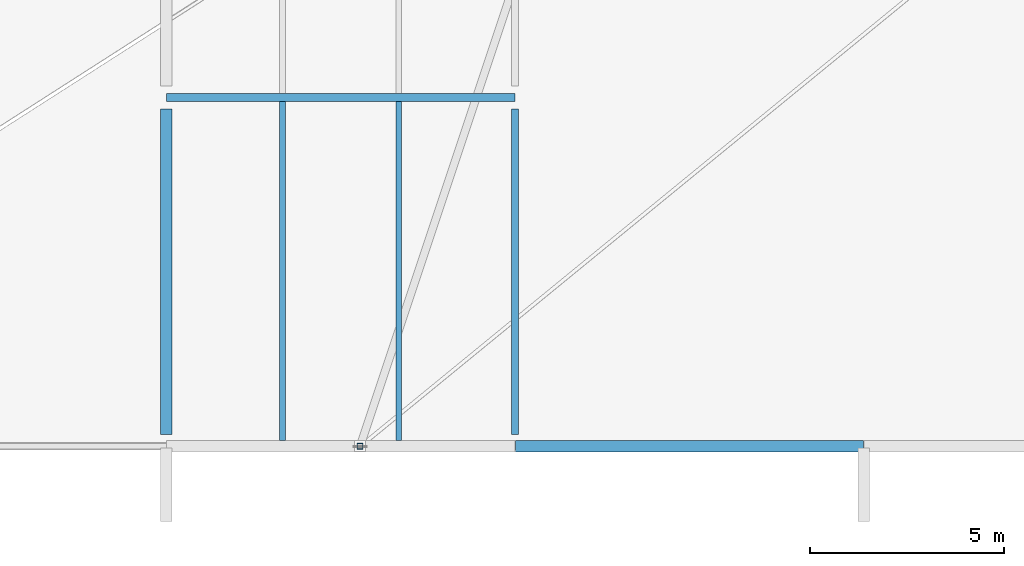
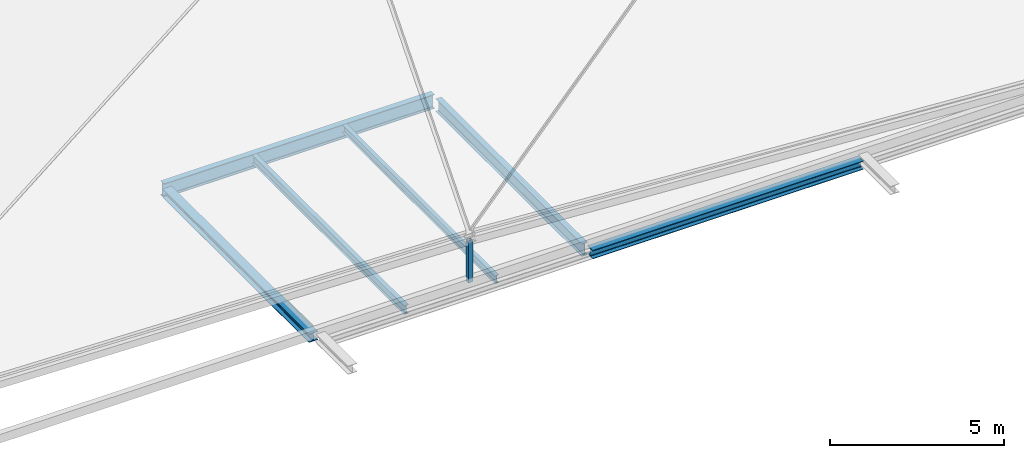
# One storey, part 3 of 18: 6 beams, 1 member.
"""IFC4 building model written with IfcOpenShell, lengths in metres."""

from ifc_helpers import new_model, si_unit, direction, frame, origin, origin_2d, place, context, subcontext, project, spatial, hollow_rectangle, i_section, extrude, material, material_profile, profile_set, type_object, element, save


model = new_model("IFC4")

# Units and contexts
model_context = context("Model", 3, precision=1e-05, world=origin(), true_north=direction((0.0, 1.0)))
body_context = subcontext(model_context, "Body", "Model", "MODEL_VIEW")
ifc_project = project(units=[si_unit("LENGTHUNIT", "METRE"), si_unit("AREAUNIT", "SQUARE_METRE"), si_unit("VOLUMEUNIT", "CUBIC_METRE"), si_unit("PLANEANGLEUNIT", "RADIAN"), si_unit("MASSUNIT", "GRAM", prefix="KILO")], contexts=[model_context])

# Site, building, storey
site_placement = place(None, origin())
site = spatial("IfcSite", under=ifc_project, at=site_placement, CompositionType="ELEMENT")
building_placement = place(site_placement, origin())
building = spatial("IfcBuilding", under=site, at=building_placement, Name="Deido Ridge Mobility Hub", CompositionType="ELEMENT")
storey_placement = place(building_placement, frame((0.0, 0.0, 29.39990234375)))
storey = spatial("IfcBuildingStorey", under=building, at=storey_placement, Name="RF", CompositionType="ELEMENT", Elevation=29.39990234375)

# Beams
ifc_material_1 = material(Name="Steel S355J2 EN 10025-2", Category="steel")
ifc_material_profile_1 = material_profile(ifc_material_1, i_section(OverallWidth=0.18994140625, OverallDepth=0.449951171875, WebThickness=0.009521484375, FlangeThickness=0.0146484375, FilletRadius=0.02099609375, at=origin_2d()), Name="IPE 450")
ifc_profile_set_1 = profile_set([ifc_material_profile_1], Name="Steel S355J2 EN 10025-2")
beam_type_1 = type_object("IfcBeamType", Name="BM-IPE450", PredefinedType="BEAM", material=ifc_profile_set_1)
beam_1_placement = place(storey_placement, frame((162.0, 0.300048828125, -0.46484375), z_axis=(0.0, 1.0, 0.0), x_axis=(-1.0, 0.0, 0.0)))
element("IfcBeam", 1, at=beam_1_placement, inside=storey, type_object=beam_type_1, Name="Floor beam B4", PredefinedType="BEAM", context=body_context, shape_type="SweptSolid", body=[
    extrude(i_section(OverallWidth=0.18994140625, OverallDepth=0.449951171875, WebThickness=0.009521484375, FlangeThickness=0.0146484375, FilletRadius=0.02099609375, at=origin_2d()), origin(), (0.0, 0.0, 1.0), 8.39990234375),
])
ifc_material_profile_2 = material_profile(ifc_material_1, i_section(OverallWidth=0.199951171875, OverallDepth=0.5, WebThickness=0.01025390625, FlangeThickness=0.01611328125, FilletRadius=0.02099609375, at=origin_2d()), Name="IPE 500")
ifc_profile_set_2 = profile_set([ifc_material_profile_2], Name="Steel S355J2 EN 10025-2")
beam_type_2 = type_object("IfcBeamType", Name="BM-IPE500", PredefinedType="BEAM", material=ifc_profile_set_2)
beam_2_placement = place(storey_placement, frame((153.0078125, 9.0, -0.489990234375), z_axis=(1.0, 0.0, 0.0), x_axis=(0.0, 1.0, 0.0)))
element("IfcBeam", 2, at=beam_2_placement, inside=storey, type_object=beam_type_2, Name="Floor beam B3", PredefinedType="BEAM", context=body_context, shape_type="SweptSolid", body=[
    extrude(i_section(OverallWidth=0.199951171875, OverallDepth=0.5, WebThickness=0.01025390625, FlangeThickness=0.01611328125, FilletRadius=0.02099609375, at=origin_2d()), origin(), (0.0, 0.0, 1.0), 8.984375),
])
ifc_material_profile_3 = material_profile(ifc_material_1, i_section(OverallWidth=0.135009765625, OverallDepth=0.27001953125, WebThickness=0.006591796875, FlangeThickness=0.01025390625, FilletRadius=0.014892578125, at=origin_2d()), Name="IPE 270")
ifc_profile_set_3 = profile_set([ifc_material_profile_3], Name="Steel S355J2 EN 10025-2")
beam_type_3 = type_object("IfcBeamType", Name="JST-IPE270", PredefinedType="JOIST", material=ifc_profile_set_3)
beam_3_placement = place(storey_placement, frame((159.0, 0.14990234375, -0.375), z_axis=(0.0, 1.0, 0.0), x_axis=(-1.0, 0.0, 0.0)))
element("IfcBeam", 3, at=beam_3_placement, inside=storey, type_object=beam_type_3, Name="Composite joist J4", PredefinedType="JOIST", context=body_context, shape_type="SweptSolid", body=[
    extrude(i_section(OverallWidth=0.135009765625, OverallDepth=0.27001953125, WebThickness=0.006591796875, FlangeThickness=0.01025390625, FilletRadius=0.014892578125, at=origin_2d()), origin(), (0.0, 0.0, 1.0), 8.75),
])
ifc_material_profile_4 = material_profile(ifc_material_1, i_section(OverallWidth=0.14990234375, OverallDepth=0.300048828125, WebThickness=0.007080078125, FlangeThickness=0.0107421875, FilletRadius=0.014892578125, at=origin_2d()), Name="IPE 300")
ifc_profile_set_4 = profile_set([ifc_material_profile_4], Name="Steel S355J2 EN 10025-2")
beam_type_4 = type_object("IfcBeamType", Name="JST-IPE300", PredefinedType="JOIST", material=ifc_profile_set_4)
beam_4_placement = place(storey_placement, frame((156.0, 0.14990234375, -0.389892578125), z_axis=(0.0, 1.0, 0.0), x_axis=(-1.0, 0.0, 0.0)))
element("IfcBeam", 4, at=beam_4_placement, inside=storey, type_object=beam_type_4, Name="Composite joist J3", PredefinedType="JOIST", context=body_context, shape_type="SweptSolid", body=[
    extrude(i_section(OverallWidth=0.14990234375, OverallDepth=0.300048828125, WebThickness=0.007080078125, FlangeThickness=0.0107421875, FilletRadius=0.014892578125, at=origin_2d()), origin(), (0.0, 0.0, 1.0), 8.75),
])

# Member
ifc_material_2 = material(Name="Steel S355J2H EN 10210-1", Category="steel")
ifc_material_profile_5 = material_profile(ifc_material_2, hollow_rectangle(XDim=0.14990234375, YDim=0.14990234375, WallThickness=0.008056640625, at=origin_2d()), Name="SHS 150x150x8")
ifc_profile_set_5 = profile_set([ifc_material_profile_5], Name="Steel S355J2H EN 10210-1")
member_type = type_object("IfcMemberType", Name="MEM-PST-SHS150", PredefinedType="POST", material=ifc_profile_set_5)
member_placement = place(storey_placement, frame((158.0, 0.0, 0.0), z_axis=(0.0, 0.0, 1.0), x_axis=(1.0, 0.0, 0.0)))
element("IfcMember", 5, at=member_placement, inside=storey, type_object=member_type, Name="Crystal roof ridge post PS1", PredefinedType="POST", context=body_context, shape_type="SweptSolid", body=[
    extrude(hollow_rectangle(XDim=0.14990234375, YDim=0.14990234375, WallThickness=0.008056640625, at=origin_2d()), origin(), (0.0, 0.0, 1.0), 1.4501953125),
])

# Beams
ifc_material_profile_6 = material_profile(ifc_material_1, i_section(OverallWidth=0.300048828125, OverallDepth=0.300048828125, WebThickness=0.010986328125, FlangeThickness=0.01904296875, FilletRadius=0.027099609375, at=origin_2d()), Name="HEB 300")
ifc_profile_set_6 = profile_set([ifc_material_profile_6], Name="Steel S355J2 EN 10025-2")
beam_type_5 = type_object("IfcBeamType", Name="SPD-HEB300", PredefinedType="SPANDREL", material=ifc_profile_set_6)
beam_5_placement = place(storey_placement, frame((162.0078125, 0.0, -0.389892578125), z_axis=(1.0, 0.0, 0.0), x_axis=(0.0, 1.0, 0.0)))
element("IfcBeam", 6, at=beam_5_placement, inside=storey, type_object=beam_type_5, Name="Floor beam SP1", PredefinedType="SPANDREL", context=body_context, shape_type="SweptSolid", body=[
    extrude(i_section(OverallWidth=0.300048828125, OverallDepth=0.300048828125, WebThickness=0.010986328125, FlangeThickness=0.01904296875, FilletRadius=0.027099609375, at=origin_2d()), origin(), (0.0, 0.0, 1.0), 8.984375),
])
beam_6_placement = place(storey_placement, frame((153.0, 0.300048828125, -0.389892578125), z_axis=(0.0, 1.0, 0.0), x_axis=(-1.0, 0.0, 0.0)))
element("IfcBeam", 7, at=beam_6_placement, inside=storey, type_object=beam_type_5, Name="Floor beam SP1", PredefinedType="SPANDREL", context=body_context, shape_type="SweptSolid", body=[
    extrude(i_section(OverallWidth=0.300048828125, OverallDepth=0.300048828125, WebThickness=0.010986328125, FlangeThickness=0.01904296875, FilletRadius=0.027099609375, at=origin_2d()), origin(), (0.0, 0.0, 1.0), 8.39990234375),
])

save(model, "model.ifc")
